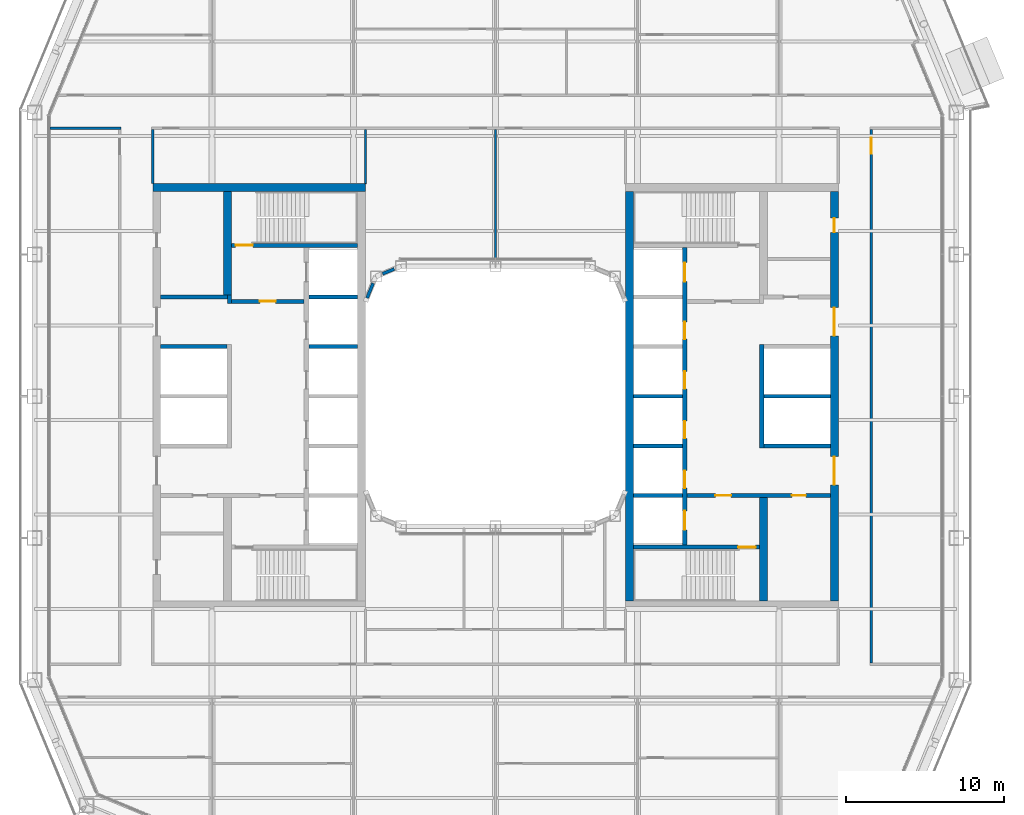
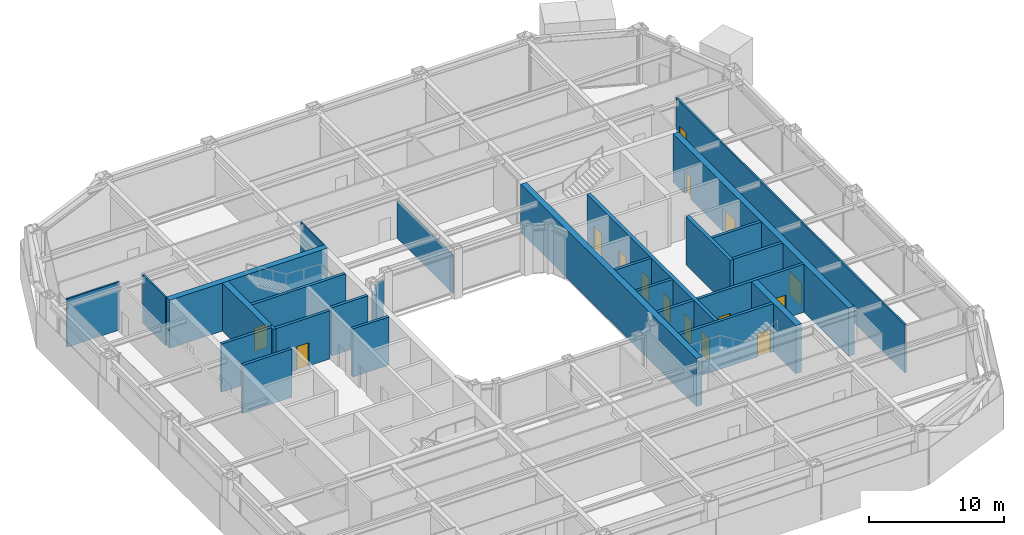
# One storey, part 13 of 24: 28 walls, 15 doors, 15 openings.
"""IFC4 building model written with IfcOpenShell, lengths in metres."""

from ifc_helpers import new_model, si_unit, direction, frame, frame_2d, origin, place, context, subcontext, project, spatial, rectangle, extrude, material, layer, layer_set, type_object, element, fill, save


model = new_model("IFC4")

# Units and contexts
model_context = context("Model", 3, precision=1e-05, world=origin(), true_north=direction((0.0, 1.0)))
body_context = subcontext(model_context, "Body", "Model", "MODEL_VIEW")
ifc_project = project(units=[si_unit("LENGTHUNIT", "METRE"), si_unit("AREAUNIT", "SQUARE_METRE"), si_unit("VOLUMEUNIT", "CUBIC_METRE"), si_unit("PLANEANGLEUNIT", "RADIAN"), si_unit("MASSUNIT", "GRAM", prefix="KILO")], contexts=[model_context])

# Site, building, storey
site_placement = place(None, origin())
site = spatial("IfcSite", under=ifc_project, at=site_placement, CompositionType="ELEMENT")
building_placement = place(site_placement, origin())
building = spatial("IfcBuilding", under=site, at=building_placement, Name="Siwar Civic Tower", CompositionType="ELEMENT")
storey_placement = place(building_placement, frame((0.0, 0.0, 113.699951171875)))
storey = spatial("IfcBuildingStorey", under=building, at=storey_placement, Name="L24", CompositionType="ELEMENT", Elevation=113.699951171875)

# Wall, opening, door
ifc_material_1 = material(Name="Concrete C60/75", Category="concrete")
ifc_layer_1 = layer(ifc_material_1, 0.25)
ifc_layer_set_1 = layer_set([ifc_layer_1], Name="Concrete C60/75")
wall_type_1 = type_object("IfcWallType", Name="CORE-WALL-RC250", PredefinedType="SHEAR", material=ifc_layer_set_1)
wall_1_placement = place(storey_placement, frame((-12.14990234375, 6.02490234375, 0.0), z_axis=(0.0, 0.0, 1.0), x_axis=(-1.0, 0.0, 0.0)))
wall_1 = element("IfcWall", 1, at=wall_1_placement, inside=storey, type_object=wall_type_1, Name="Core wall W", PredefinedType="SHEAR", context=body_context, shape_type="SweptSolid", body=[
    extrude(rectangle(XDim=4.60009765625, YDim=0.25, at=frame_2d((2.300048828125, 0.0))), origin(), (0.0, 0.0, 1.0), 4.35009765625),
])
opening_1_placement = place(wall_1_placement, frame((1.800048828125, 0.0, 0.0)))
opening_1 = element("IfcOpeningElement", 2, at=opening_1_placement, cuts=wall_1, Name="Opening L24-CW01", PredefinedType="OPENING", context=body_context, shape_type="SweptSolid", body=[
    extrude(rectangle(XDim=1.0, YDim=2.10009765625, at=frame_2d((0.5, 1.050048828125))), frame((0.0, 0.135009765625, 0.0), z_axis=(0.0, -1.0, 0.0), x_axis=(1.0, 0.0, 0.0)), (0.0, 0.0, 1.0), 0.27001953125),
])
ifc_material_2 = material(Name="Steel door leaf", Category="steel")
door_type_1 = type_object("IfcDoorType", Name="CORE-DOOR-FD30S", OperationType="SINGLE_SWING_LEFT", PredefinedType="DOOR", material=ifc_material_2)
door_1_placement = place(opening_1_placement, origin())
door_1 = element("IfcDoor", 3, at=door_1_placement, inside=storey, type_object=door_type_1, Name="Firefighting lobby door L24-CW01", OperationType="SINGLE_SWING_LEFT", OverallHeight=2.10009765625, OverallWidth=1.0, PredefinedType="DOOR", context=body_context, shape_type="SweptSolid", body=[
    extrude(rectangle(XDim=1.0, YDim=2.10009765625, at=frame_2d((0.5, 1.050048828125))), frame((0.0, 0.02490234375, 0.0), z_axis=(0.0, -1.0, 0.0), x_axis=(1.0, 0.0, 0.0)), (0.0, 0.0, 1.0), 0.050048828125),
])
fill(opening_1, door_1)

# Walls
wall_2_placement = place(storey_placement, frame((-16.875, 5.89990234375, 0.0), z_axis=(0.0, 0.0, 1.0), x_axis=(0.0, 1.0, 0.0)))
element("IfcWall", 4, at=wall_2_placement, inside=storey, type_object=wall_type_1, Name="Core wall W", PredefinedType="SHEAR", context=body_context, shape_type="SweptSolid", body=[
    extrude(rectangle(XDim=0.525146484375, YDim=0.25, at=frame_2d((0.2626953125, 0.0))), origin(), (0.0, 0.0, 1.0), 4.35009765625),
])
wall_3_placement = place(storey_placement, frame((-17.0, 6.300048828125, 0.0), z_axis=(0.0, 0.0, 1.0), x_axis=(-1.0, 0.0, 0.0)))
element("IfcWall", 5, at=wall_3_placement, inside=storey, type_object=wall_type_1, Name="Core wall W", PredefinedType="SHEAR", context=body_context, shape_type="SweptSolid", body=[
    extrude(rectangle(XDim=4.25, YDim=0.25, at=frame_2d((2.125, 0.0))), origin(), (0.0, 0.0, 1.0), 4.35009765625),
])
wall_4_placement = place(storey_placement, frame((-17.050048828125, 3.14990234375, 0.0), z_axis=(0.0, 0.0, 1.0), x_axis=(-1.0, 0.0, 0.0)))
element("IfcWall", 6, at=wall_4_placement, inside=storey, type_object=wall_type_1, Name="Core wall W", PredefinedType="SHEAR", context=body_context, shape_type="SweptSolid", body=[
    extrude(rectangle(XDim=4.199951171875, YDim=0.25, at=frame_2d((2.10009765625, 0.0))), origin(), (0.0, 0.0, 1.0), 4.35009765625),
])
for number, where, z_axis, x_axis, name in (
    (7, (-8.75, 3.14990234375, 0.0), (0.0, 0.0, 1.0), (-1.0, 0.0, 0.0), "Core wall W"),
    (8, (-8.75, 6.300048828125, 0.0), (0.0, 0.0, 1.0), (-1.0, 0.0, 0.0), "Core wall W"),
):
    element("IfcWall", number, at=place(storey_placement, frame(where, z_axis=z_axis, x_axis=x_axis)), inside=storey, type_object=wall_type_1, Name=name, PredefinedType="SHEAR", context=body_context, shape_type="SweptSolid", body=[
        extrude(rectangle(XDim=3.10009765625, YDim=0.25, at=frame_2d((1.550048828125, 0.0))), origin(), (0.0, 0.0, 1.0), 4.35009765625),
    ])

# Wall, opening, door
wall_5_placement = place(storey_placement, frame((-8.75, 9.574951171875, 0.0), z_axis=(0.0, 0.0, 1.0), x_axis=(-1.0, 0.0, 0.0)))
wall_5 = element("IfcWall", 9, at=wall_5_placement, inside=storey, type_object=wall_type_1, Name="Core wall W", PredefinedType="SHEAR", context=body_context, shape_type="SweptSolid", body=[
    extrude(rectangle(XDim=8.0, YDim=0.25, at=frame_2d((4.0, 0.0))), origin(), (0.0, 0.0, 1.0), 4.35009765625),
])
opening_2_placement = place(wall_5_placement, frame((6.64990234375, 0.0, 0.0)))
opening_2 = element("IfcOpeningElement", 10, at=opening_2_placement, cuts=wall_5, Name="Opening L24-CW03", PredefinedType="OPENING", context=body_context, shape_type="SweptSolid", body=[
    extrude(rectangle(XDim=1.10009765625, YDim=2.10009765625, at=frame_2d((0.550048828125, 1.050048828125))), frame((0.0, 0.135009765625, 0.0), z_axis=(0.0, -1.0, 0.0), x_axis=(1.0, 0.0, 0.0)), (0.0, 0.0, 1.0), 0.27001953125),
])
ifc_material_3 = material(Name="Steel door leaf", Category="steel")
door_type_2 = type_object("IfcDoorType", Name="CORE-DOOR-FD60S", OperationType="SINGLE_SWING_LEFT", PredefinedType="DOOR", material=ifc_material_3)
door_2_placement = place(opening_2_placement, origin())
door_2 = element("IfcDoor", 11, at=door_2_placement, inside=storey, type_object=door_type_2, Name="Stair door L24-CW03", OperationType="SINGLE_SWING_RIGHT", OverallHeight=2.10009765625, OverallWidth=1.10009765625, PredefinedType="DOOR", context=body_context, shape_type="SweptSolid", body=[
    extrude(rectangle(XDim=1.10009765625, YDim=2.10009765625, at=frame_2d((0.550048828125, 1.050048828125))), frame((0.0, 0.02490234375, 0.0), z_axis=(0.0, -1.0, 0.0), x_axis=(1.0, 0.0, 0.0)), (0.0, 0.0, 1.0), 0.050048828125),
])
fill(opening_2, door_2)

# Wall, openings, doors
wall_6_placement = place(storey_placement, frame((12.14990234375, -6.300048828125, 0.0), z_axis=(0.0, 0.0, 1.0), x_axis=(1.0, 0.0, 0.0)))
wall_6 = element("IfcWall", 12, at=wall_6_placement, inside=storey, type_object=wall_type_1, Name="Core wall E", PredefinedType="SHEAR", context=body_context, shape_type="SweptSolid", body=[
    extrude(rectangle(XDim=9.10009765625, YDim=0.25, at=frame_2d((4.550048828125, 0.0))), origin(), (0.0, 0.0, 1.0), 4.35009765625),
])
opening_3_placement = place(wall_6_placement, frame((1.800048828125, 0.0, 0.0)))
opening_3 = element("IfcOpeningElement", 13, at=opening_3_placement, cuts=wall_6, Name="Opening L24-CE02", PredefinedType="OPENING", context=body_context, shape_type="SweptSolid", body=[
    extrude(rectangle(XDim=1.0, YDim=2.10009765625, at=frame_2d((0.5, 1.050048828125))), frame((0.0, 0.135009765625, 0.0), z_axis=(0.0, -1.0, 0.0), x_axis=(1.0, 0.0, 0.0)), (0.0, 0.0, 1.0), 0.27001953125),
])
opening_4_placement = place(wall_6_placement, frame((6.64990234375, 0.0, 0.0)))
opening_4 = element("IfcOpeningElement", 14, at=opening_4_placement, cuts=wall_6, Name="Opening L24-CE15", PredefinedType="OPENING", context=body_context, shape_type="SweptSolid", body=[
    extrude(rectangle(XDim=0.89990234375, YDim=2.10009765625, at=frame_2d((0.449951171875, 1.050048828125))), frame((0.0, 0.135009765625, 0.0), z_axis=(0.0, -1.0, 0.0), x_axis=(1.0, 0.0, 0.0)), (0.0, 0.0, 1.0), 0.27001953125),
])
door_3_placement = place(opening_3_placement, origin())
door_3 = element("IfcDoor", 15, at=door_3_placement, inside=storey, type_object=door_type_1, Name="Service lobby door L24-CE02", OperationType="SINGLE_SWING_LEFT", OverallHeight=2.10009765625, OverallWidth=1.0, PredefinedType="DOOR", context=body_context, shape_type="SweptSolid", body=[
    extrude(rectangle(XDim=1.0, YDim=2.10009765625, at=frame_2d((0.5, 1.050048828125))), frame((0.0, 0.02490234375, 0.0), z_axis=(0.0, -1.0, 0.0), x_axis=(1.0, 0.0, 0.0)), (0.0, 0.0, 1.0), 0.050048828125),
])
fill(opening_3, door_3)
ifc_material_4 = material(Name="Steel door leaf", Category="steel")
door_type_3 = type_object("IfcDoorType", Name="CORE-DOOR-ROOM", OperationType="SINGLE_SWING_LEFT", PredefinedType="DOOR", material=ifc_material_4)
door_4_placement = place(opening_4_placement, origin())
door_4 = element("IfcDoor", 16, at=door_4_placement, inside=storey, type_object=door_type_3, Name="Core room door L24-CE15", OperationType="SINGLE_SWING_LEFT", OverallHeight=2.10009765625, OverallWidth=0.89990234375, PredefinedType="DOOR", context=body_context, shape_type="SweptSolid", body=[
    extrude(rectangle(XDim=0.89990234375, YDim=2.10009765625, at=frame_2d((0.449951171875, 1.050048828125))), frame((0.0, 0.02490234375, 0.0), z_axis=(0.0, -1.0, 0.0), x_axis=(1.0, 0.0, 0.0)), (0.0, 0.0, 1.0), 0.050048828125),
])
fill(opening_4, door_4)

# Walls
for number, where, z_axis, x_axis, name in (
    (17, (17.050048828125, 0.0, 0.0), (0.0, 0.0, 1.0), (1.0, 0.0, 0.0), "Core wall E"),
    (18, (17.050048828125, -3.14990234375, 0.0), (0.0, 0.0, 1.0), (1.0, 0.0, 0.0), "Core wall E"),
):
    element("IfcWall", number, at=place(storey_placement, frame(where, z_axis=z_axis, x_axis=x_axis)), inside=storey, type_object=wall_type_1, Name=name, PredefinedType="SHEAR", context=body_context, shape_type="SweptSolid", body=[
        extrude(rectangle(XDim=4.199951171875, YDim=0.25, at=frame_2d((2.10009765625, 0.0))), origin(), (0.0, 0.0, 1.0), 4.35009765625),
    ])
for number, where, z_axis, x_axis, name in (
    (19, (8.75, 0.0, 0.0), (0.0, 0.0, 1.0), (1.0, 0.0, 0.0), "Core wall E"),
    (20, (8.75, -3.14990234375, 0.0), (0.0, 0.0, 1.0), (1.0, 0.0, 0.0), "Core wall E"),
    (21, (8.75, -6.300048828125, 0.0), (0.0, 0.0, 1.0), (1.0, 0.0, 0.0), "Core wall E"),
):
    element("IfcWall", number, at=place(storey_placement, frame(where, z_axis=z_axis, x_axis=x_axis)), inside=storey, type_object=wall_type_1, Name=name, PredefinedType="SHEAR", context=body_context, shape_type="SweptSolid", body=[
        extrude(rectangle(XDim=3.10009765625, YDim=0.25, at=frame_2d((1.550048828125, 0.0))), origin(), (0.0, 0.0, 1.0), 4.35009765625),
    ])

# Wall, opening, door
wall_7_placement = place(storey_placement, frame((8.75, -9.574951171875, 0.0), z_axis=(0.0, 0.0, 1.0), x_axis=(1.0, 0.0, 0.0)))
wall_7 = element("IfcWall", 22, at=wall_7_placement, inside=storey, type_object=wall_type_1, Name="Core wall E", PredefinedType="SHEAR", context=body_context, shape_type="SweptSolid", body=[
    extrude(rectangle(XDim=8.0, YDim=0.25, at=frame_2d((4.0, 0.0))), origin(), (0.0, 0.0, 1.0), 4.35009765625),
])
opening_5_placement = place(wall_7_placement, frame((6.64990234375, 0.0, 0.0)))
opening_5 = element("IfcOpeningElement", 23, at=opening_5_placement, cuts=wall_7, Name="Opening L24-CE04", PredefinedType="OPENING", context=body_context, shape_type="SweptSolid", body=[
    extrude(rectangle(XDim=1.10009765625, YDim=2.10009765625, at=frame_2d((0.550048828125, 1.050048828125))), frame((0.0, 0.135009765625, 0.0), z_axis=(0.0, -1.0, 0.0), x_axis=(1.0, 0.0, 0.0)), (0.0, 0.0, 1.0), 0.27001953125),
])
door_5_placement = place(opening_5_placement, origin())
door_5 = element("IfcDoor", 24, at=door_5_placement, inside=storey, type_object=door_type_2, Name="Stair door L24-CE04", OperationType="SINGLE_SWING_RIGHT", OverallHeight=2.10009765625, OverallWidth=1.10009765625, PredefinedType="DOOR", context=body_context, shape_type="SweptSolid", body=[
    extrude(rectangle(XDim=1.10009765625, YDim=2.10009765625, at=frame_2d((0.550048828125, 1.050048828125))), frame((0.0, 0.02490234375, 0.0), z_axis=(0.0, -1.0, 0.0), x_axis=(1.0, 0.0, 0.0)), (0.0, 0.0, 1.0), 0.050048828125),
])
fill(opening_5, door_5)

# Wall, openings, doors
ifc_material_5 = material(Name="Concrete C60/75", Category="concrete")
ifc_layer_2 = layer(ifc_material_5, 0.300048828125)
ifc_layer_set_2 = layer_set([ifc_layer_2], Name="Concrete C60/75")
wall_type_2 = type_object("IfcWallType", Name="CORE-WALL-RC300", PredefinedType="SHEAR", material=ifc_layer_set_2)
wall_8_placement = place(storey_placement, frame((12.0, -9.449951171875, 0.0), z_axis=(0.0, 0.0, 1.0), x_axis=(0.0, 1.0, 0.0)))
wall_8 = element("IfcWall", 25, at=wall_8_placement, inside=storey, type_object=wall_type_2, Name="Core wall E", PredefinedType="SHEAR", context=body_context, shape_type="SweptSolid", body=[
    extrude(rectangle(XDim=18.89990234375, YDim=0.300048828125, at=frame_2d((9.449951171875, 0.0))), origin(), (0.0, 0.0, 1.0), 4.35009765625),
])
opening_6_placement = place(wall_8_placement, frame((3.625, 0.0, 0.0)))
opening_6 = element("IfcOpeningElement", 26, at=opening_6_placement, cuts=wall_8, Name="Opening L24-CE07", PredefinedType="OPENING", context=body_context, shape_type="SweptSolid", body=[
    extrude(rectangle(XDim=1.10009765625, YDim=2.10009765625, at=frame_2d((0.550048828125, 1.050048828125))), frame((0.0, 0.16015625, 0.0), z_axis=(0.0, -1.0, 0.0), x_axis=(1.0, 0.0, 0.0)), (0.0, 0.0, 1.0), 0.320068359375),
])
opening_7_placement = place(wall_8_placement, frame((6.77490234375, 0.0, 0.0)))
opening_7 = element("IfcOpeningElement", 27, at=opening_7_placement, cuts=wall_8, Name="Opening L24-CE08", PredefinedType="OPENING", context=body_context, shape_type="SweptSolid", body=[
    extrude(rectangle(XDim=1.10009765625, YDim=2.10009765625, at=frame_2d((0.550048828125, 1.050048828125))), frame((0.0, 0.16015625, 0.0), z_axis=(0.0, -1.0, 0.0), x_axis=(1.0, 0.0, 0.0)), (0.0, 0.0, 1.0), 0.320068359375),
])
opening_8_placement = place(wall_8_placement, frame((9.925048828125, 0.0, 0.0)))
opening_8 = element("IfcOpeningElement", 28, at=opening_8_placement, cuts=wall_8, Name="Opening L24-CE09", PredefinedType="OPENING", context=body_context, shape_type="SweptSolid", body=[
    extrude(rectangle(XDim=1.10009765625, YDim=2.10009765625, at=frame_2d((0.550048828125, 1.050048828125))), frame((0.0, 0.16015625, 0.0), z_axis=(0.0, -1.0, 0.0), x_axis=(1.0, 0.0, 0.0)), (0.0, 0.0, 1.0), 0.320068359375),
])
opening_9_placement = place(wall_8_placement, frame((13.074951171875, 0.0, 0.0)))
opening_9 = element("IfcOpeningElement", 29, at=opening_9_placement, cuts=wall_8, Name="Opening L24-CE10", PredefinedType="OPENING", context=body_context, shape_type="SweptSolid", body=[
    extrude(rectangle(XDim=1.10009765625, YDim=2.10009765625, at=frame_2d((0.550048828125, 1.050048828125))), frame((0.0, 0.16015625, 0.0), z_axis=(0.0, -1.0, 0.0), x_axis=(1.0, 0.0, 0.0)), (0.0, 0.0, 1.0), 0.320068359375),
])
opening_10_placement = place(wall_8_placement, frame((16.72509765625, 0.0, 0.0)))
opening_10 = element("IfcOpeningElement", 30, at=opening_10_placement, cuts=wall_8, Name="Opening L24-CE11", PredefinedType="OPENING", context=body_context, shape_type="SweptSolid", body=[
    extrude(rectangle(XDim=1.199951171875, YDim=2.10009765625, at=frame_2d((0.60009765625, 1.050048828125))), frame((0.0, 0.16015625, 0.0), z_axis=(0.0, -1.0, 0.0), x_axis=(1.0, 0.0, 0.0)), (0.0, 0.0, 1.0), 0.320068359375),
])
opening_11_placement = place(wall_8_placement, frame((0.97509765625, 0.0, 0.0)))
opening_11 = element("IfcOpeningElement", 31, at=opening_11_placement, cuts=wall_8, Name="Opening L24-CE12", PredefinedType="OPENING", context=body_context, shape_type="SweptSolid", body=[
    extrude(rectangle(XDim=1.199951171875, YDim=2.10009765625, at=frame_2d((0.60009765625, 1.050048828125))), frame((0.0, 0.16015625, 0.0), z_axis=(0.0, -1.0, 0.0), x_axis=(1.0, 0.0, 0.0)), (0.0, 0.0, 1.0), 0.320068359375),
])
ifc_material_6 = material(Name="Steel door leaf", Category="steel")
door_type_4 = type_object("IfcDoorType", Name="CORE-DOOR-LD", OperationType="DOUBLE_DOOR_SLIDING", PredefinedType="DOOR", material=ifc_material_6)
door_6_placement = place(opening_6_placement, origin())
door_6 = element("IfcDoor", 32, at=door_6_placement, inside=storey, type_object=door_type_4, Name="Landing door LR5 L24-CE07", OperationType="DOUBLE_DOOR_SLIDING", OverallHeight=2.10009765625, OverallWidth=1.10009765625, PredefinedType="DOOR", context=body_context, shape_type="SweptSolid", body=[
    extrude(rectangle(XDim=1.10009765625, YDim=2.10009765625, at=frame_2d((0.550048828125, 1.050048828125))), frame((0.0, 0.02490234375, 0.0), z_axis=(0.0, -1.0, 0.0), x_axis=(1.0, 0.0, 0.0)), (0.0, 0.0, 1.0), 0.050048828125),
])
fill(opening_6, door_6)
door_7_placement = place(opening_7_placement, origin())
door_7 = element("IfcDoor", 33, at=door_7_placement, inside=storey, type_object=door_type_4, Name="Landing door LR6 L24-CE08", OperationType="DOUBLE_DOOR_SLIDING", OverallHeight=2.10009765625, OverallWidth=1.10009765625, PredefinedType="DOOR", context=body_context, shape_type="SweptSolid", body=[
    extrude(rectangle(XDim=1.10009765625, YDim=2.10009765625, at=frame_2d((0.550048828125, 1.050048828125))), frame((0.0, 0.02490234375, 0.0), z_axis=(0.0, -1.0, 0.0), x_axis=(1.0, 0.0, 0.0)), (0.0, 0.0, 1.0), 0.050048828125),
])
fill(opening_7, door_7)
door_8_placement = place(opening_8_placement, origin())
door_8 = element("IfcDoor", 34, at=door_8_placement, inside=storey, type_object=door_type_4, Name="Landing door LR7 L24-CE09", OperationType="DOUBLE_DOOR_SLIDING", OverallHeight=2.10009765625, OverallWidth=1.10009765625, PredefinedType="DOOR", context=body_context, shape_type="SweptSolid", body=[
    extrude(rectangle(XDim=1.10009765625, YDim=2.10009765625, at=frame_2d((0.550048828125, 1.050048828125))), frame((0.0, 0.02490234375, 0.0), z_axis=(0.0, -1.0, 0.0), x_axis=(1.0, 0.0, 0.0)), (0.0, 0.0, 1.0), 0.050048828125),
])
fill(opening_8, door_8)
door_9_placement = place(opening_9_placement, origin())
door_9 = element("IfcDoor", 35, at=door_9_placement, inside=storey, type_object=door_type_4, Name="Landing door LR8 L24-CE10", OperationType="DOUBLE_DOOR_SLIDING", OverallHeight=2.10009765625, OverallWidth=1.10009765625, PredefinedType="DOOR", context=body_context, shape_type="SweptSolid", body=[
    extrude(rectangle(XDim=1.10009765625, YDim=2.10009765625, at=frame_2d((0.550048828125, 1.050048828125))), frame((0.0, 0.02490234375, 0.0), z_axis=(0.0, -1.0, 0.0), x_axis=(1.0, 0.0, 0.0)), (0.0, 0.0, 1.0), 0.050048828125),
])
fill(opening_9, door_9)
ifc_material_7 = material(Name="Steel door leaf", Category="steel")
door_type_5 = type_object("IfcDoorType", Name="CORE-DOOR-LDW", OperationType="DOUBLE_DOOR_SLIDING", PredefinedType="DOOR", material=ifc_material_7)
door_10_placement = place(opening_10_placement, origin())
door_10 = element("IfcDoor", 36, at=door_10_placement, inside=storey, type_object=door_type_5, Name="Landing door FF2 L24-CE11", OperationType="DOUBLE_DOOR_SLIDING", OverallHeight=2.10009765625, OverallWidth=1.199951171875, PredefinedType="DOOR", context=body_context, shape_type="SweptSolid", body=[
    extrude(rectangle(XDim=1.199951171875, YDim=2.10009765625, at=frame_2d((0.60009765625, 1.050048828125))), frame((0.0, 0.02490234375, 0.0), z_axis=(0.0, -1.0, 0.0), x_axis=(1.0, 0.0, 0.0)), (0.0, 0.0, 1.0), 0.050048828125),
])
fill(opening_10, door_10)
door_11_placement = place(opening_11_placement, origin())
door_11 = element("IfcDoor", 37, at=door_11_placement, inside=storey, type_object=door_type_5, Name="Landing door SV2 L24-CE12", OperationType="DOUBLE_DOOR_SLIDING", OverallHeight=2.10009765625, OverallWidth=1.199951171875, PredefinedType="DOOR", context=body_context, shape_type="SweptSolid", body=[
    extrude(rectangle(XDim=1.199951171875, YDim=2.10009765625, at=frame_2d((0.60009765625, 1.050048828125))), frame((0.0, 0.02490234375, 0.0), z_axis=(0.0, -1.0, 0.0), x_axis=(1.0, 0.0, 0.0)), (0.0, 0.0, 1.0), 0.050048828125),
])
fill(opening_11, door_11)

# Walls
wall_9_placement = place(storey_placement, frame((16.89990234375, -3.27490234375, 0.0), z_axis=(0.0, 0.0, 1.0), x_axis=(0.0, 1.0, 0.0)))
element("IfcWall", 38, at=wall_9_placement, inside=storey, type_object=wall_type_2, Name="Core wall E", PredefinedType="SHEAR", context=body_context, shape_type="SweptSolid", body=[
    extrude(rectangle(XDim=6.5498046875, YDim=0.300048828125, at=frame_2d((3.27490234375, 0.0))), origin(), (0.0, 0.0, 1.0), 4.35009765625),
])
ifc_material_8 = material(Name="Concrete C60/75", Category="concrete")
ifc_layer_3 = layer(ifc_material_8, 0.5)
ifc_layer_set_3 = layer_set([ifc_layer_3], Name="Concrete C60/75")
wall_type_3 = type_object("IfcWallType", Name="CORE-WALL-RC500", PredefinedType="SHEAR", material=ifc_layer_set_3)
wall_10_placement = place(storey_placement, frame((-17.0, 6.425048828125, 0.0), z_axis=(0.0, 0.0, 1.0), x_axis=(0.0, 1.0, 0.0)))
element("IfcWall", 39, at=wall_10_placement, inside=storey, type_object=wall_type_3, Name="Core wall W", PredefinedType="SHEAR", context=body_context, shape_type="SweptSolid", body=[
    extrude(rectangle(XDim=6.574951171875, YDim=0.5, at=frame_2d((3.28759765625, 0.0))), origin(), (0.0, 0.0, 1.0), 4.35009765625),
])
wall_11_placement = place(storey_placement, frame((-8.25, 13.25, 0.0), z_axis=(0.0, 0.0, 1.0), x_axis=(-1.0, 0.0, 0.0)))
element("IfcWall", 40, at=wall_11_placement, inside=storey, type_object=wall_type_3, Name="Core wall W", PredefinedType="SHEAR", context=body_context, shape_type="SweptSolid", body=[
    extrude(rectangle(XDim=13.5, YDim=0.5, at=frame_2d((6.75, 0.0))), origin(), (0.0, 0.0, 1.0), 4.35009765625),
])

# Wall, openings, doors
wall_12_placement = place(storey_placement, frame((21.5, -13.0, 0.0), z_axis=(0.0, 0.0, 1.0), x_axis=(0.0, 1.0, 0.0)))
wall_12 = element("IfcWall", 41, at=wall_12_placement, inside=storey, type_object=wall_type_3, Name="Core wall E", PredefinedType="SHEAR", context=body_context, shape_type="SweptSolid", body=[
    extrude(rectangle(XDim=26.0, YDim=0.5, at=frame_2d((13.0, 0.0))), origin(), (0.0, 0.0, 1.0), 4.35009765625),
])
opening_12_placement = place(wall_12_placement, frame((16.824951171875, 0.0, 0.0)))
opening_12 = element("IfcOpeningElement", 42, at=opening_12_placement, cuts=wall_12, Name="Opening L24-CE05", PredefinedType="OPENING", context=body_context, shape_type="SweptSolid", body=[
    extrude(rectangle(XDim=1.800048828125, YDim=2.10009765625, at=frame_2d((0.89990234375, 1.050048828125))), frame((0.0, 0.260009765625, 0.0), z_axis=(0.0, -1.0, 0.0), x_axis=(1.0, 0.0, 0.0)), (0.0, 0.0, 1.0), 0.52001953125),
])
opening_13_placement = place(wall_12_placement, frame((7.375, 0.0, 0.0)))
opening_13 = element("IfcOpeningElement", 43, at=opening_13_placement, cuts=wall_12, Name="Opening L24-CE06", PredefinedType="OPENING", context=body_context, shape_type="SweptSolid", body=[
    extrude(rectangle(XDim=1.800048828125, YDim=2.10009765625, at=frame_2d((0.89990234375, 1.050048828125))), frame((0.0, 0.260009765625, 0.0), z_axis=(0.0, -1.0, 0.0), x_axis=(1.0, 0.0, 0.0)), (0.0, 0.0, 1.0), 0.52001953125),
])
opening_14_placement = place(wall_12_placement, frame((23.39990234375, 0.0, 0.0)))
opening_14 = element("IfcOpeningElement", 44, at=opening_14_placement, cuts=wall_12, Name="Opening L24-CE14", PredefinedType="OPENING", context=body_context, shape_type="SweptSolid", body=[
    extrude(rectangle(XDim=0.89990234375, YDim=2.10009765625, at=frame_2d((0.449951171875, 1.050048828125))), frame((0.0, 0.260009765625, 0.0), z_axis=(0.0, -1.0, 0.0), x_axis=(1.0, 0.0, 0.0)), (0.0, 0.0, 1.0), 0.52001953125),
])
ifc_material_9 = material(Name="Steel door leaf", Category="steel")
door_type_6 = type_object("IfcDoorType", Name="CORE-DOOR-PORT", OperationType="DOUBLE_DOOR_DOUBLE_SWING", PredefinedType="DOOR", material=ifc_material_9)
door_12_placement = place(opening_12_placement, origin())
door_12 = element("IfcDoor", 45, at=door_12_placement, inside=storey, type_object=door_type_6, Name="Core entrance door L24-CE05", OperationType="DOUBLE_DOOR_DOUBLE_SWING", OverallHeight=2.10009765625, OverallWidth=1.800048828125, PredefinedType="DOOR", context=body_context, shape_type="SweptSolid", body=[
    extrude(rectangle(XDim=1.800048828125, YDim=2.10009765625, at=frame_2d((0.89990234375, 1.050048828125))), frame((0.0, 0.02490234375, 0.0), z_axis=(0.0, -1.0, 0.0), x_axis=(1.0, 0.0, 0.0)), (0.0, 0.0, 1.0), 0.050048828125),
])
fill(opening_12, door_12)
door_13_placement = place(opening_13_placement, origin())
door_13 = element("IfcDoor", 46, at=door_13_placement, inside=storey, type_object=door_type_6, Name="Core entrance door L24-CE06", OperationType="DOUBLE_DOOR_DOUBLE_SWING", OverallHeight=2.10009765625, OverallWidth=1.800048828125, PredefinedType="DOOR", context=body_context, shape_type="SweptSolid", body=[
    extrude(rectangle(XDim=1.800048828125, YDim=2.10009765625, at=frame_2d((0.89990234375, 1.050048828125))), frame((0.0, 0.02490234375, 0.0), z_axis=(0.0, -1.0, 0.0), x_axis=(1.0, 0.0, 0.0)), (0.0, 0.0, 1.0), 0.050048828125),
])
fill(opening_13, door_13)
door_14_placement = place(opening_14_placement, origin())
door_14 = element("IfcDoor", 47, at=door_14_placement, inside=storey, type_object=door_type_3, Name="Core room door L24-CE14", OperationType="SINGLE_SWING_RIGHT", OverallHeight=2.10009765625, OverallWidth=0.89990234375, PredefinedType="DOOR", context=body_context, shape_type="SweptSolid", body=[
    extrude(rectangle(XDim=0.89990234375, YDim=2.10009765625, at=frame_2d((0.449951171875, 1.050048828125))), frame((0.0, 0.02490234375, 0.0), z_axis=(0.0, -1.0, 0.0), x_axis=(1.0, 0.0, 0.0)), (0.0, 0.0, 1.0), 0.050048828125),
])
fill(opening_14, door_14)

# Walls
wall_13_placement = place(storey_placement, frame((17.0, -13.0, 0.0), z_axis=(0.0, 0.0, 1.0), x_axis=(0.0, 1.0, 0.0)))
element("IfcWall", 48, at=wall_13_placement, inside=storey, type_object=wall_type_3, Name="Core wall E", PredefinedType="SHEAR", context=body_context, shape_type="SweptSolid", body=[
    extrude(rectangle(XDim=6.574951171875, YDim=0.5, at=frame_2d((3.28759765625, 0.0))), origin(), (0.0, 0.0, 1.0), 4.35009765625),
])
ifc_material_10 = material(Name="Concrete C60/75", Category="concrete")
ifc_layer_4 = layer(ifc_material_10, 0.5)
ifc_layer_set_4 = layer_set([ifc_layer_4], Name="Concrete C60/75")
wall_type_4 = type_object("IfcWallType", Name="CORE-WALL-RC500-EXT", PredefinedType="SHEAR", material=ifc_layer_set_4)
wall_14_placement = place(storey_placement, frame((8.5, -13.0, 0.0), z_axis=(0.0, 0.0, 1.0), x_axis=(0.0, 1.0, 0.0)))
element("IfcWall", 49, at=wall_14_placement, inside=storey, type_object=wall_type_4, Name="Core wall E", PredefinedType="SHEAR", context=body_context, shape_type="SweptSolid", body=[
    extrude(rectangle(XDim=26.0, YDim=0.5, at=frame_2d((13.0, 0.0))), origin(), (0.0, 0.0, 1.0), 4.35009765625),
])
ifc_material_11 = material(Name="Gypsum board on steel studs", Category="steel")
ifc_layer_5 = layer(ifc_material_11, 0.14990234375)
ifc_layer_set_5 = layer_set([ifc_layer_5], Name="Gypsum board on steel studs")
wall_type_5 = type_object("IfcWallType", Name="CORRIDOR PARTITION 150 EI 30", PredefinedType="PARTITIONING", material=ifc_layer_set_5)
wall_15_placement = place(storey_placement, frame((-28.260009765625, 17.0, 0.0), z_axis=(0.0, 0.0, 1.0), x_axis=(1.0, 0.0, 0.0)))
element("IfcWall", 50, at=wall_15_placement, inside=storey, type_object=wall_type_5, Name="L24/wall/P11", PredefinedType="PARTITIONING", context=body_context, shape_type="SweptSolid", body=[
    extrude(rectangle(XDim=4.485107421875, YDim=0.14990234375, at=frame_2d((2.24267578125, 0.0))), origin(), (0.0, 0.0, 1.0), 4.35009765625),
])
wall_16_placement = place(storey_placement, frame((-21.75, 13.5, 0.0), z_axis=(0.0, 0.0, 1.0), x_axis=(0.0, 1.0, 0.0)))
element("IfcWall", 51, at=wall_16_placement, inside=storey, type_object=wall_type_5, Name="L24/wall/P20", PredefinedType="PARTITIONING", context=body_context, shape_type="SweptSolid", body=[
    extrude(rectangle(XDim=3.425048828125, YDim=0.14990234375, at=frame_2d((1.71240234375, 0.0))), origin(), (0.0, 0.0, 1.0), 4.35009765625),
])

# Wall, opening, door
wall_17_placement = place(storey_placement, frame((23.85009765625, -16.925048828125, 0.0), z_axis=(0.0, 0.0, 1.0), x_axis=(0.0, 1.0, 0.0)))
wall_17 = element("IfcWall", 52, at=wall_17_placement, inside=storey, type_object=wall_type_5, Name="L24/wall/P44", PredefinedType="PARTITIONING", context=body_context, shape_type="SweptSolid", body=[
    extrude(rectangle(XDim=33.85009765625, YDim=0.14990234375, at=frame_2d((16.925048828125, 0.0))), origin(), (0.0, 0.0, 1.0), 4.35009765625),
])
opening_15_placement = place(wall_17_placement, frame((32.324951171875, 0.0, 0.0)))
opening_15 = element("IfcOpeningElement", 53, at=opening_15_placement, cuts=wall_17, Name="Opening D1", PredefinedType="OPENING", context=body_context, shape_type="SweptSolid", body=[
    extrude(rectangle(XDim=1.0, YDim=2.10009765625, at=frame_2d((0.5, 1.050048828125))), frame((0.0, 0.0849609375, 0.0), z_axis=(0.0, -1.0, 0.0), x_axis=(1.0, 0.0, 0.0)), (0.0, 0.0, 1.0), 0.169921875),
])
ifc_material_12 = material(Name="Timber, painted", Category="wood")
door_type_7 = type_object("IfcDoorType", Name="DOOR 1000 X 2100 FD30", OperationType="SINGLE_SWING_LEFT", PredefinedType="DOOR", material=ifc_material_12)
door_15_placement = place(opening_15_placement, origin())
door_15 = element("IfcDoor", 54, at=door_15_placement, inside=storey, type_object=door_type_7, Name="L24-D34", OperationType="SINGLE_SWING_RIGHT", OverallHeight=2.10009765625, OverallWidth=1.0, PredefinedType="DOOR", context=body_context, shape_type="SweptSolid", body=[
    extrude(rectangle(XDim=1.0, YDim=2.10009765625, at=frame_2d((0.5, 1.050048828125))), frame((0.0, 0.02490234375, 0.0), z_axis=(0.0, -1.0, 0.0), x_axis=(1.0, 0.0, 0.0)), (0.0, 0.0, 1.0), 0.050048828125),
])
fill(opening_15, door_15)

# Walls
ifc_material_13 = material(Name="Aluminium clad insulated panel", Category="aluminium")
ifc_layer_6 = layer(ifc_material_13, 0.199951171875)
ifc_layer_set_6 = layer_set([ifc_layer_6], Name="Aluminium clad insulated panel")
wall_type_6 = type_object("IfcWallType", Name="ENV-WALL-WELL", PredefinedType="STANDARD", material=ifc_layer_set_6)
wall_18_placement = place(storey_placement, frame((-6.422607421875, 8.074951171875, 0.0), z_axis=(0.0, 0.0, 1.0), x_axis=(-0.923817771127, -0.382832503518, 0.0)))
element("IfcWall", 55, at=wall_18_placement, inside=storey, type_object=wall_type_6, Name="Light well corner wall NW1", PredefinedType="STANDARD", context=body_context, shape_type="SweptSolid", body=[
    extrude(rectangle(XDim=0.807373046875, YDim=0.199951171875, at=frame_2d((0.40380859375, 0.0))), origin(), (0.0, 0.0, 1.0), 3.825927734375),
])
wall_19_placement = place(storey_placement, frame((-7.765869140625, 7.16845703125, 0.0), z_axis=(0.0, 0.0, 1.0), x_axis=(-0.382769662028, -0.923843810301, 0.0)))
element("IfcWall", 56, at=wall_19_placement, inside=storey, type_object=wall_type_6, Name="Light well corner wall NW2", PredefinedType="STANDARD", context=body_context, shape_type="SweptSolid", body=[
    extrude(rectangle(XDim=1.014892578125, YDim=0.199951171875, at=frame_2d((0.50732421875, 0.0))), origin(), (0.0, 0.0, 1.0), 3.825927734375),
])
ifc_material_14 = material(Name="Gypsum board on steel studs", Category="steel")
ifc_layer_7 = layer(ifc_material_14, 0.10009765625)
ifc_layer_set_7 = layer_set([ifc_layer_7], Name="Gypsum board on steel studs")
wall_type_7 = type_object("IfcWallType", Name="PARTITION 100 GYPSUM", PredefinedType="PARTITIONING", material=ifc_layer_set_7)
wall_20_placement = place(storey_placement, frame((-8.25, 13.5, 0.0), z_axis=(0.0, 0.0, 1.0), x_axis=(0.0, 1.0, 0.0)))
element("IfcWall", 57, at=wall_20_placement, inside=storey, type_object=wall_type_7, Name="L24/wall/P25", PredefinedType="PARTITIONING", context=body_context, shape_type="SweptSolid", body=[
    extrude(rectangle(XDim=3.425048828125, YDim=0.10009765625, at=frame_2d((1.71240234375, 0.0))), origin(), (0.0, 0.0, 1.0), 4.35009765625),
])
wall_21_placement = place(storey_placement, frame((0.0, 8.64990234375, 0.0), z_axis=(0.0, 0.0, 1.0), x_axis=(0.0, 1.0, 0.0)))
element("IfcWall", 58, at=wall_21_placement, inside=storey, type_object=wall_type_7, Name="L24/wall/P29", PredefinedType="PARTITIONING", context=body_context, shape_type="SweptSolid", body=[
    extrude(rectangle(XDim=8.275146484375, YDim=0.10009765625, at=frame_2d((4.1376953125, 0.0))), origin(), (0.0, 0.0, 1.0), 3.449951171875),
])

save(model, "model.ifc")
